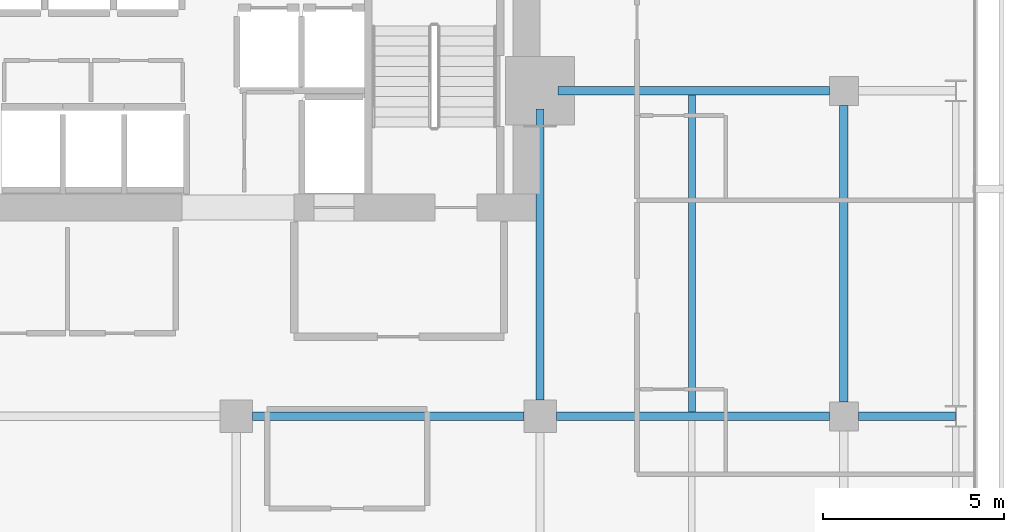
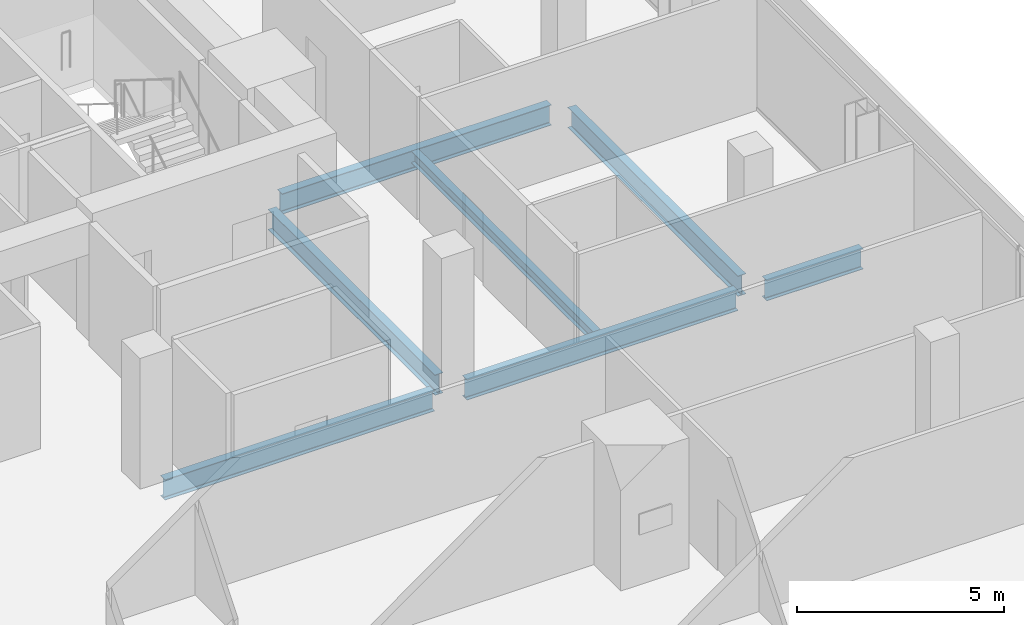
# One storey, part 23 of 34: 7 beams.
"""IFC4 building model written with IfcOpenShell, lengths in metres."""

from ifc_helpers import new_model, si_unit, direction, frame, origin, origin_2d, place, context, subcontext, project, spatial, i_section, extrude, material, material_profile, profile_set, type_object, element, save


model = new_model("IFC4")

# Units and contexts
model_context = context("Model", 3, precision=1e-05, world=origin(), true_north=direction((0.0, 1.0)))
body_context = subcontext(model_context, "Body", "Model", "MODEL_VIEW")
ifc_project = project(units=[si_unit("LENGTHUNIT", "METRE"), si_unit("AREAUNIT", "SQUARE_METRE"), si_unit("VOLUMEUNIT", "CUBIC_METRE"), si_unit("PLANEANGLEUNIT", "RADIAN"), si_unit("MASSUNIT", "GRAM", prefix="KILO")], contexts=[model_context])

# Site, building, storey
site_placement = place(None, origin())
site = spatial("IfcSite", under=ifc_project, at=site_placement, CompositionType="ELEMENT")
building_placement = place(site_placement, origin())
building = spatial("IfcBuilding", under=site, at=building_placement, Name="Maruvema Waterfront Hotel and Observation Tower", CompositionType="ELEMENT")
storey_placement = place(building_placement, frame((0.0, 0.0, 192.85009765625)))
storey = spatial("IfcBuildingStorey", under=building, at=storey_placement, Name="L47", CompositionType="ELEMENT", Elevation=192.85009765625)

# Beams
ifc_material_1 = material(Name="Steel ASTM A572 Grade 50", Category="steel")
ifc_material_profile_1 = material_profile(ifc_material_1, i_section(OverallWidth=0.22802734375, OverallDepth=0.60302734375, WebThickness=0.010498046875, FlangeThickness=0.014892578125, FilletRadius=0.01806640625, at=origin_2d()), Name="W610x101.0")
ifc_profile_set_1 = profile_set([ifc_material_profile_1], Name="Steel ASTM A572 Grade 50")
beam_type_1 = type_object("IfcBeamType", Name="Primary Floor Girder W610x101.0", PredefinedType="BEAM", material=ifc_profile_set_1)
beam_1_placement = place(storey_placement, frame((42.449951171875, 36.0, -0.54150390625), z_axis=(1.0, 0.0, 0.0), x_axis=(0.0, 1.0, 0.0)))
element("IfcBeam", 1, at=beam_1_placement, inside=storey, type_object=beam_type_1, Name="L47 Floor Girder EW-27", PredefinedType="BEAM", context=body_context, shape_type="SweptSolid", body=[
    extrude(i_section(OverallWidth=0.22802734375, OverallDepth=0.60302734375, WebThickness=0.010498046875, FlangeThickness=0.014892578125, FilletRadius=0.01806640625, at=origin_2d()), origin(), (0.0, 0.0, 1.0), 7.5),
])
beam_2_placement = place(storey_placement, frame((50.85009765625, 36.0, -0.54150390625), z_axis=(1.0, 0.0, 0.0), x_axis=(0.0, 1.0, 0.0)))
element("IfcBeam", 2, at=beam_2_placement, inside=storey, type_object=beam_type_1, Name="L47 Floor Girder EW-28", PredefinedType="BEAM", context=body_context, shape_type="SweptSolid", body=[
    extrude(i_section(OverallWidth=0.22802734375, OverallDepth=0.60302734375, WebThickness=0.010498046875, FlangeThickness=0.014892578125, FilletRadius=0.01806640625, at=origin_2d()), origin(), (0.0, 0.0, 1.0), 7.5498046875),
])
beam_3_placement = place(storey_placement, frame((59.199951171875, 36.0, -0.54150390625), z_axis=(1.0, 0.0, 0.0), x_axis=(0.0, 1.0, 0.0)))
element("IfcBeam", 3, at=beam_3_placement, inside=storey, type_object=beam_type_1, Name="L47 Floor Girder EW-29", PredefinedType="BEAM", context=body_context, shape_type="SweptSolid", body=[
    extrude(i_section(OverallWidth=0.22802734375, OverallDepth=0.60302734375, WebThickness=0.010498046875, FlangeThickness=0.014892578125, FilletRadius=0.01806640625, at=origin_2d()), origin(), (0.0, 0.0, 1.0), 2.6875),
])
beam_4_placement = place(storey_placement, frame((50.89990234375, 45.0, -0.54150390625), z_axis=(1.0, 0.0, 0.0), x_axis=(0.0, 1.0, 0.0)))
element("IfcBeam", 4, at=beam_4_placement, inside=storey, type_object=beam_type_1, Name="L47 Floor Girder EW-32", PredefinedType="BEAM", context=body_context, shape_type="SweptSolid", body=[
    extrude(i_section(OverallWidth=0.22802734375, OverallDepth=0.60302734375, WebThickness=0.010498046875, FlangeThickness=0.014892578125, FilletRadius=0.01806640625, at=origin_2d()), origin(), (0.0, 0.0, 1.0), 7.5),
])
beam_5_placement = place(storey_placement, frame((50.39990234375, 36.449951171875, -0.54150390625), z_axis=(0.0, 1.0, 0.0), x_axis=(-1.0, 0.0, 0.0)))
element("IfcBeam", 5, at=beam_5_placement, inside=storey, type_object=beam_type_1, Name="L47 Floor Girder NS-24", PredefinedType="BEAM", context=body_context, shape_type="SweptSolid", body=[
    extrude(i_section(OverallWidth=0.22802734375, OverallDepth=0.60302734375, WebThickness=0.010498046875, FlangeThickness=0.014892578125, FilletRadius=0.01806640625, at=origin_2d()), origin(), (0.0, 0.0, 1.0), 8.050048828125),
])
beam_6_placement = place(storey_placement, frame((58.800048828125, 36.39990234375, -0.54150390625), z_axis=(0.0, 1.0, 0.0), x_axis=(-1.0, 0.0, 0.0)))
element("IfcBeam", 6, at=beam_6_placement, inside=storey, type_object=beam_type_1, Name="L47 Floor Girder NS-28", PredefinedType="BEAM", context=body_context, shape_type="SweptSolid", body=[
    extrude(i_section(OverallWidth=0.22802734375, OverallDepth=0.60302734375, WebThickness=0.010498046875, FlangeThickness=0.014892578125, FilletRadius=0.01806640625, at=origin_2d()), origin(), (0.0, 0.0, 1.0), 8.2001953125),
])
ifc_material_2 = material(Name="Steel ASTM A572 Grade 50", Category="steel")
ifc_material_profile_2 = material_profile(ifc_material_2, i_section(OverallWidth=0.202880859375, OverallDepth=0.346923828125, WebThickness=0.0078125, FlangeThickness=0.013427734375, FilletRadius=0.014892578125, at=origin_2d()), Name="W360x64.0")
ifc_profile_set_2 = profile_set([ifc_material_profile_2], Name="Steel ASTM A572 Grade 50")
beam_type_2 = type_object("IfcBeamType", Name="Secondary Floor Joist W360x64.0", PredefinedType="JOIST", material=ifc_profile_set_2)
beam_7_placement = place(storey_placement, frame((54.60009765625, 36.114013671875, -0.41357421875), z_axis=(0.0, 1.0, 0.0), x_axis=(-1.0, 0.0, 0.0)))
element("IfcBeam", 7, at=beam_7_placement, inside=storey, type_object=beam_type_2, Name="L47 Secondary Floor Joist JS-14", PredefinedType="JOIST", context=body_context, shape_type="SweptSolid", body=[
    extrude(i_section(OverallWidth=0.202880859375, OverallDepth=0.346923828125, WebThickness=0.0078125, FlangeThickness=0.013427734375, FilletRadius=0.014892578125, at=origin_2d()), origin(), (0.0, 0.0, 1.0), 8.77197265625),
])

save(model, "model.ifc")
